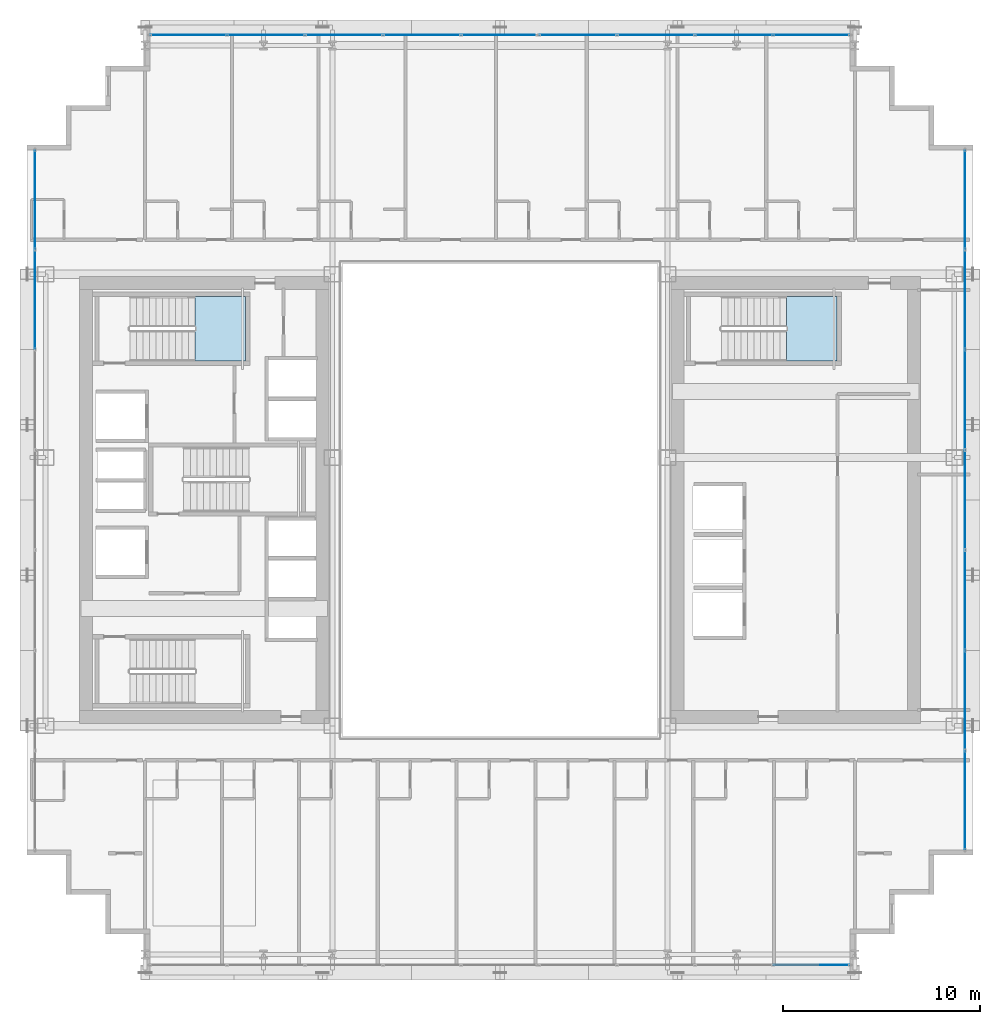
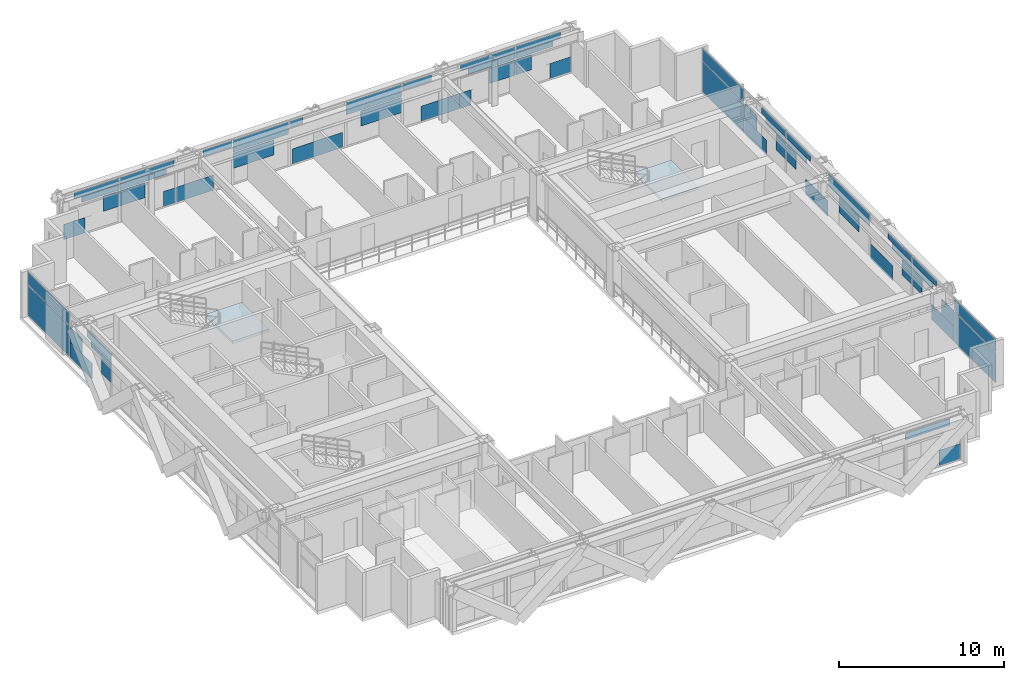
# One storey, part 24 of 36: 59 plates, 2 slabs, 6 elements without a shape of their own.
"""IFC4 building model written with IfcOpenShell, lengths in metres."""

from ifc_helpers import new_model, si_unit, direction, frame, origin, origin_2d, place, context, subcontext, project, spatial, polyline, rectangle, outline, extrude, source, transform, mapped, material, layer, layer_set, type_object, element, aggregate, save


model = new_model("IFC4")

# Units and contexts
model_context = context("Model", 3, precision=1e-05, world=origin(), true_north=direction((0.0, 1.0)))
body_context = subcontext(model_context, "Body", "Model", "MODEL_VIEW")
ifc_project = project(units=[si_unit("LENGTHUNIT", "METRE"), si_unit("AREAUNIT", "SQUARE_METRE"), si_unit("VOLUMEUNIT", "CUBIC_METRE"), si_unit("PLANEANGLEUNIT", "RADIAN"), si_unit("MASSUNIT", "GRAM", prefix="KILO")], contexts=[model_context])

# Site, building, storey
site_placement = place(None, origin())
site = spatial("IfcSite", under=ifc_project, at=site_placement, CompositionType="ELEMENT")
building_placement = place(site_placement, origin())
building = spatial("IfcBuilding", under=site, at=building_placement, Name="Ocotamira Hotel", CompositionType="ELEMENT")
storey_placement = place(building_placement, frame((0.0, 0.0, 129.60009765625)))
storey = spatial("IfcBuildingStorey", under=building, at=storey_placement, Name="L32", CompositionType="ELEMENT", Elevation=129.60009765625)

# Stair, slab
ifc_material_1 = material(Name="Concrete C40/50", Category="concrete")
stair_type = type_object("IfcStairType", Name="ST-CORE-1560", PredefinedType="HALF_TURN_STAIR", material=ifc_material_1)
stair_1_placement = place(storey_placement, origin())
stair_1 = element("IfcStair", 1, at=stair_1_placement, inside=storey, type_object=stair_type, Name="L32 Exit Stair ST-2", PredefinedType="HALF_TURN_STAIR")
ifc_layer_1 = layer(ifc_material_1, 0.199951171875)
ifc_layer_set_1 = layer_set([ifc_layer_1], Name="Concrete C40/50")
slab_type = type_object("IfcSlabType", Name="SLB-LAND-200", PredefinedType="LANDING", material=ifc_layer_set_1)
slab_1_placement = place(storey_placement, frame((0.0, 0.0, 1.599853515625)))
slab_1 = element("IfcSlab", 2, at=slab_1_placement, type_object=slab_type, Name="ST-2 landing 1", PredefinedType="LANDING", context=body_context, shape_type="SweptSolid", body=[
    extrude(outline(polyline([(16.530029296875, 33.050048828125), (19.090087890625, 33.050048828125), (19.090087890625, 36.330078125), (16.530029296875, 36.330078125), (16.530029296875, 33.050048828125)])), origin(), (0.0, 0.0, 1.0), 0.199951171875),
])
aggregate(stair_1, [slab_1])

stair_2_placement = place(storey_placement, origin())
stair_2 = element("IfcStair", 3, at=stair_2_placement, inside=storey, type_object=stair_type, Name="L32 Exit Stair ST-4", PredefinedType="HALF_TURN_STAIR")
slab_2_placement = place(storey_placement, frame((0.0, 0.0, 1.599853515625)))
slab_2 = element("IfcSlab", 4, at=slab_2_placement, type_object=slab_type, Name="ST-4 landing 1", PredefinedType="LANDING", context=body_context, shape_type="SweptSolid", body=[
    extrude(outline(polyline([(46.530029296875, 33.050048828125), (49.090087890625, 33.050048828125), (49.090087890625, 36.330078125), (46.530029296875, 36.330078125), (46.530029296875, 33.050048828125)])), origin(), (0.0, 0.0, 1.0), 0.199951171875),
])
aggregate(stair_2, [slab_2])

# Curtain wall, plate
ifc_material_2 = material(Name="Anodised pale-metal aluminium and solar glass", Category="aluminium")
ifc_layer_2 = layer(ifc_material_2, 0.179931640625)
ifc_layer_set_2 = layer_set([ifc_layer_2], Name="Anodised pale-metal aluminium and solar glass")
curtain_wall_type = type_object("IfcCurtainWallType", Name="CW-SYS3-Z2", PredefinedType="NOTDEFINED", material=ifc_layer_set_2)
curtain_wall_1_placement = place(storey_placement, origin())
curtain_wall_1 = element("IfcCurtainWall", 5, at=curtain_wall_1_placement, inside=storey, type_object=curtain_wall_type, Name="L32 Curtain Wall CW-3 CW-L32-W", PredefinedType="NOTDEFINED")
ifc_material_3 = material(Name="Double-silver low-E insulated solar glass", Category="glass")
ifc_layer_3 = layer(ifc_material_3, 0.031982421875)
ifc_layer_set_3 = layer_set([ifc_layer_3], Name="Double-silver low-E insulated solar glass")
plate_type = type_object("IfcPlateType", Name="CWP-VISION-32", PredefinedType="CURTAIN_PANEL", material=ifc_layer_set_3)
shared_shape_1 = source(origin(), body_context, "Body", "SweptSolid", [
    extrude(rectangle(XDim=4.9658203125, YDim=0.031982421875, at=origin_2d()), origin(), (0.0, 0.0, 1.0), 2.237548828125),
])
plate_1_placement = place(storey_placement, frame((8.419921875, 41.237060546875, 0.07470703125), z_axis=(0.0, 0.0, 1.0), x_axis=(0.0, 1.0, 0.0)))
plate_1 = element("IfcPlate", 6, at=plate_1_placement, type_object=plate_type, Name="CW-3 panel 7.1", PredefinedType="CURTAIN_PANEL", context=body_context, shape_type="MappedRepresentation", body=[
    mapped(shared_shape_1, transform((0.0, 0.0, 0.0), scale=1.0)),
])

# Curtain wall, plates
curtain_wall_2_placement = place(storey_placement, origin())
curtain_wall_2 = element("IfcCurtainWall", 7, at=curtain_wall_2_placement, inside=storey, type_object=curtain_wall_type, Name="L32 Curtain Wall CW-3 CW-L32-E", PredefinedType="NOTDEFINED")
plate_2_placement = place(storey_placement, frame((55.580078125, 10.762939453125, 0.07470703125), z_axis=(0.0, 0.0, 1.0), x_axis=(0.0, 1.0, 0.0)))
plate_2 = element("IfcPlate", 8, at=plate_2_placement, type_object=plate_type, Name="CW-3 panel 1.1", PredefinedType="CURTAIN_PANEL", context=body_context, shape_type="MappedRepresentation", body=[
    mapped(shared_shape_1, transform((0.0, 0.0, 0.0), scale=1.0)),
])
plate_3_placement = place(storey_placement, frame((55.580078125, 41.237060546875, 0.07470703125), z_axis=(0.0, 0.0, 1.0), x_axis=(0.0, 1.0, 0.0)))
plate_3 = element("IfcPlate", 9, at=plate_3_placement, type_object=plate_type, Name="CW-3 panel 7.1", PredefinedType="CURTAIN_PANEL", context=body_context, shape_type="MappedRepresentation", body=[
    mapped(shared_shape_1, transform((0.0, 0.0, 0.0), scale=1.0)),
])

curtain_wall_3_placement = place(storey_placement, origin())
curtain_wall_3 = element("IfcCurtainWall", 10, at=curtain_wall_3_placement, inside=storey, type_object=curtain_wall_type, Name="L32 Curtain Wall CW-3 CW-L32-N", PredefinedType="NOTDEFINED")
shared_shape_2 = source(origin(), body_context, "Body", "SweptSolid", [
    extrude(rectangle(XDim=3.87548828125, YDim=0.031982421875, at=origin_2d()), origin(), (0.0, 0.0, 1.0), 0.8974609375),
])
plate_4_placement = place(storey_placement, frame((28.04443359375, 49.580078125, 2.387451171875), z_axis=(0.0, 0.0, 1.0), x_axis=(1.0, 0.0, 0.0)))
plate_4 = element("IfcPlate", 11, at=plate_4_placement, type_object=plate_type, Name="CW-3 panel 4.2", PredefinedType="CURTAIN_PANEL", context=body_context, shape_type="MappedRepresentation", body=[
    mapped(shared_shape_2, transform((0.0, 0.0, 0.0), scale=1.0)),
])
plate_5_placement = place(storey_placement, frame((35.95556640625, 49.580078125, 2.387451171875), z_axis=(0.0, 0.0, 1.0), x_axis=(1.0, 0.0, 0.0)))
plate_5 = element("IfcPlate", 12, at=plate_5_placement, type_object=plate_type, Name="CW-3 panel 6.2", PredefinedType="CURTAIN_PANEL", context=body_context, shape_type="MappedRepresentation", body=[
    mapped(shared_shape_2, transform((0.0, 0.0, 0.0), scale=1.0)),
])

# Plate
shared_shape_3 = source(origin(), body_context, "Body", "SweptSolid", [
    extrude(rectangle(XDim=4.9658203125, YDim=0.031982421875, at=origin_2d()), origin(), (0.0, 0.0, 1.0), 0.8974609375),
])
plate_6_placement = place(storey_placement, frame((8.419921875, 41.237060546875, 2.387451171875), z_axis=(0.0, 0.0, 1.0), x_axis=(0.0, 1.0, 0.0)))
plate_6 = element("IfcPlate", 13, at=plate_6_placement, type_object=plate_type, Name="CW-3 panel 7.2", PredefinedType="CURTAIN_PANEL", context=body_context, shape_type="MappedRepresentation", body=[
    mapped(shared_shape_3, transform((0.0, 0.0, 0.0), scale=1.0)),
])

plate_7_placement = place(storey_placement, frame((55.580078125, 10.762939453125, 2.387451171875), z_axis=(0.0, 0.0, 1.0), x_axis=(0.0, 1.0, 0.0)))
plate_7 = element("IfcPlate", 14, at=plate_7_placement, type_object=plate_type, Name="CW-3 panel 1.2", PredefinedType="CURTAIN_PANEL", context=body_context, shape_type="MappedRepresentation", body=[
    mapped(shared_shape_3, transform((0.0, 0.0, 0.0), scale=1.0)),
])

plate_8_placement = place(storey_placement, frame((55.580078125, 41.237060546875, 2.387451171875), z_axis=(0.0, 0.0, 1.0), x_axis=(0.0, 1.0, 0.0)))
plate_8 = element("IfcPlate", 15, at=plate_8_placement, type_object=plate_type, Name="CW-3 panel 7.2", PredefinedType="CURTAIN_PANEL", context=body_context, shape_type="MappedRepresentation", body=[
    mapped(shared_shape_3, transform((0.0, 0.0, 0.0), scale=1.0)),
])

shared_shape_4 = source(origin(), body_context, "Body", "SweptSolid", [
    extrude(rectangle(XDim=2.404296875, YDim=0.031982421875, at=origin_2d()), origin(), (0.0, 0.0, 1.0), 1.118896484375),
])
plate_9_placement = place(storey_placement, frame((55.580078125, 26.0, 1.193359375), z_axis=(0.0, 0.0, 1.0), x_axis=(0.0, 1.0, 0.0)))
plate_9 = element("IfcPlate", 16, at=plate_9_placement, type_object=plate_type, Name="CW-3 panel 4.1.1", PredefinedType="CURTAIN_PANEL", context=body_context, shape_type="MappedRepresentation", body=[
    mapped(shared_shape_4, transform((0.0, 0.0, 0.0), scale=1.0)),
])

# Curtain wall, plate
curtain_wall_4_placement = place(storey_placement, origin())
curtain_wall_4 = element("IfcCurtainWall", 17, at=curtain_wall_4_placement, inside=storey, type_object=curtain_wall_type, Name="L32 Curtain Wall CW-3 CW-L32-S1", PredefinedType="NOTDEFINED")
shared_shape_5 = source(origin(), body_context, "Body", "SweptSolid", [
    extrude(rectangle(XDim=3.104248046875, YDim=0.031982421875, at=origin_2d()), origin(), (0.0, 0.0, 1.0), 0.4716796875),
])
plate_10_placement = place(storey_placement, frame((47.4365234375, 2.419921875, 2.813232421875), z_axis=(0.0, 0.0, 1.0), x_axis=(1.0, 0.0, 0.0)))
plate_10 = element("IfcPlate", 18, at=plate_10_placement, type_object=plate_type, Name="CW-3 panel 9.2.2", PredefinedType="CURTAIN_PANEL", context=body_context, shape_type="MappedRepresentation", body=[
    mapped(shared_shape_5, transform((0.0, 0.0, 0.0), scale=1.0)),
])

# Plate
plate_11_placement = place(storey_placement, frame((16.5634765625, 49.580078125, 2.813232421875), z_axis=(0.0, 0.0, 1.0), x_axis=(1.0, 0.0, 0.0)))
plate_11 = element("IfcPlate", 19, at=plate_11_placement, type_object=plate_type, Name="CW-3 panel 1.2.1", PredefinedType="CURTAIN_PANEL", context=body_context, shape_type="MappedRepresentation", body=[
    mapped(shared_shape_5, transform((0.0, 0.0, 0.0), scale=1.0)),
])

plate_12_placement = place(storey_placement, frame((47.4365234375, 49.580078125, 2.813232421875), z_axis=(0.0, 0.0, 1.0), x_axis=(1.0, 0.0, 0.0)))
plate_12 = element("IfcPlate", 20, at=plate_12_placement, type_object=plate_type, Name="CW-3 panel 9.2.2", PredefinedType="CURTAIN_PANEL", context=body_context, shape_type="MappedRepresentation", body=[
    mapped(shared_shape_5, transform((0.0, 0.0, 0.0), scale=1.0)),
])

shared_shape_6 = source(origin(), body_context, "Body", "SweptSolid", [
    extrude(rectangle(XDim=2.572021484375, YDim=0.031982421875, at=origin_2d()), origin(), (0.0, 0.0, 1.0), 0.39453125),
])
plate_13_placement = place(storey_placement, frame((16.82958984375, 49.580078125, 2.387451171875), z_axis=(0.0, 0.0, 1.0), x_axis=(1.0, 0.0, 0.0)))
plate_13 = element("IfcPlate", 21, at=plate_13_placement, type_object=plate_type, Name="CW-3 panel 1.2.2", PredefinedType="CURTAIN_PANEL", context=body_context, shape_type="MappedRepresentation", body=[
    mapped(shared_shape_6, transform((0.0, 0.0, 0.0), scale=1.0)),
])

plate_14_placement = place(storey_placement, frame((47.17041015625, 49.580078125, 2.387451171875), z_axis=(0.0, 0.0, 1.0), x_axis=(1.0, 0.0, 0.0)))
plate_14 = element("IfcPlate", 22, at=plate_14_placement, type_object=plate_type, Name="CW-3 panel 9.2.1", PredefinedType="CURTAIN_PANEL", context=body_context, shape_type="MappedRepresentation", body=[
    mapped(shared_shape_6, transform((0.0, 0.0, 0.0), scale=1.0)),
])

shared_shape_7 = source(origin(), body_context, "Body", "SweptSolid", [
    extrude(rectangle(XDim=3.260986328125, YDim=0.031982421875, at=origin_2d()), origin(), (0.0, 0.0, 1.0), 0.42578125),
])
plate_15_placement = place(storey_placement, frame((19.826171875, 49.580078125, 2.387451171875), z_axis=(0.0, 0.0, 1.0), x_axis=(1.0, 0.0, 0.0)))
plate_15 = element("IfcPlate", 23, at=plate_15_placement, type_object=plate_type, Name="CW-3 panel 2.2.1", PredefinedType="CURTAIN_PANEL", context=body_context, shape_type="MappedRepresentation", body=[
    mapped(shared_shape_7, transform((0.0, 0.0, 0.0), scale=1.0)),
])

plate_16_placement = place(storey_placement, frame((44.173828125, 49.580078125, 2.387451171875), z_axis=(0.0, 0.0, 1.0), x_axis=(1.0, 0.0, 0.0)))
plate_16 = element("IfcPlate", 24, at=plate_16_placement, type_object=plate_type, Name="CW-3 panel 8.2.2", PredefinedType="CURTAIN_PANEL", context=body_context, shape_type="MappedRepresentation", body=[
    mapped(shared_shape_7, transform((0.0, 0.0, 0.0), scale=1.0)),
])

shared_shape_8 = source(origin(), body_context, "Body", "SweptSolid", [
    extrude(rectangle(XDim=3.793212890625, YDim=0.031982421875, at=origin_2d()), origin(), (0.0, 0.0, 1.0), 0.4716796875),
])
plate_17_placement = place(storey_placement, frame((20.09228515625, 49.580078125, 2.813232421875), z_axis=(0.0, 0.0, 1.0), x_axis=(1.0, 0.0, 0.0)))
plate_17 = element("IfcPlate", 25, at=plate_17_placement, type_object=plate_type, Name="CW-3 panel 2.2.2", PredefinedType="CURTAIN_PANEL", context=body_context, shape_type="MappedRepresentation", body=[
    mapped(shared_shape_8, transform((0.0, 0.0, 0.0), scale=1.0)),
])

plate_18_placement = place(storey_placement, frame((43.90771484375, 49.580078125, 2.813232421875), z_axis=(0.0, 0.0, 1.0), x_axis=(1.0, 0.0, 0.0)))
plate_18 = element("IfcPlate", 26, at=plate_18_placement, type_object=plate_type, Name="CW-3 panel 8.2.1", PredefinedType="CURTAIN_PANEL", context=body_context, shape_type="MappedRepresentation", body=[
    mapped(shared_shape_8, transform((0.0, 0.0, 0.0), scale=1.0)),
])

shared_shape_9 = source(origin(), body_context, "Body", "SweptSolid", [
    extrude(rectangle(XDim=2.015380859375, YDim=0.031982421875, at=origin_2d()), origin(), (0.0, 0.0, 1.0), 0.4716796875),
])
plate_19_placement = place(storey_placement, frame((25.018798828125, 49.580078125, 2.813232421875), z_axis=(0.0, 0.0, 1.0), x_axis=(1.0, 0.0, 0.0)))
plate_19 = element("IfcPlate", 27, at=plate_19_placement, type_object=plate_type, Name="CW-3 panel 3.2.1", PredefinedType="CURTAIN_PANEL", context=body_context, shape_type="MappedRepresentation", body=[
    mapped(shared_shape_9, transform((0.0, 0.0, 0.0), scale=1.0)),
])

plate_20_placement = place(storey_placement, frame((38.981201171875, 49.580078125, 2.813232421875), z_axis=(0.0, 0.0, 1.0), x_axis=(1.0, 0.0, 0.0)))
plate_20 = element("IfcPlate", 28, at=plate_20_placement, type_object=plate_type, Name="CW-3 panel 7.2.1", PredefinedType="CURTAIN_PANEL", context=body_context, shape_type="MappedRepresentation", body=[
    mapped(shared_shape_9, transform((0.0, 0.0, 0.0), scale=1.0)),
])

shared_shape_10 = source(origin(), body_context, "Body", "SweptSolid", [
    extrude(rectangle(XDim=0.926513671875, YDim=0.031982421875, at=origin_2d()), origin(), (0.0, 0.0, 1.0), 0.4716796875),
])
plate_21_placement = place(storey_placement, frame((30.525390625, 49.580078125, 2.813232421875), z_axis=(0.0, 0.0, 1.0), x_axis=(1.0, 0.0, 0.0)))
plate_21 = element("IfcPlate", 29, at=plate_21_placement, type_object=plate_type, Name="CW-3 panel 5.2.1", PredefinedType="CURTAIN_PANEL", context=body_context, shape_type="MappedRepresentation", body=[
    mapped(shared_shape_10, transform((0.0, 0.0, 0.0), scale=1.0)),
])

shared_shape_11 = source(origin(), body_context, "Body", "SweptSolid", [
    extrude(rectangle(XDim=2.908203125, YDim=0.031982421875, at=origin_2d()), origin(), (0.0, 0.0, 1.0), 0.44873046875),
])
plate_22_placement = place(storey_placement, frame((8.419921875, 35.122802734375, 2.836181640625), z_axis=(0.0, 0.0, 1.0), x_axis=(0.0, 1.0, 0.0)))
plate_22 = element("IfcPlate", 30, at=plate_22_placement, type_object=plate_type, Name="CW-3 panel 6.2.2", PredefinedType="CURTAIN_PANEL", context=body_context, shape_type="MappedRepresentation", body=[
    mapped(shared_shape_11, transform((0.0, 0.0, 0.0), scale=1.0)),
])

plate_23_placement = place(storey_placement, frame((55.580078125, 16.877197265625, 2.836181640625), z_axis=(0.0, 0.0, 1.0), x_axis=(0.0, 1.0, 0.0)))
plate_23 = element("IfcPlate", 31, at=plate_23_placement, type_object=plate_type, Name="CW-3 panel 2.2.1", PredefinedType="CURTAIN_PANEL", context=body_context, shape_type="MappedRepresentation", body=[
    mapped(shared_shape_11, transform((0.0, 0.0, 0.0), scale=1.0)),
])

plate_24_placement = place(storey_placement, frame((55.580078125, 35.122802734375, 2.836181640625), z_axis=(0.0, 0.0, 1.0), x_axis=(0.0, 1.0, 0.0)))
plate_24 = element("IfcPlate", 32, at=plate_24_placement, type_object=plate_type, Name="CW-3 panel 6.2.2", PredefinedType="CURTAIN_PANEL", context=body_context, shape_type="MappedRepresentation", body=[
    mapped(shared_shape_11, transform((0.0, 0.0, 0.0), scale=1.0)),
])

shared_shape_12 = source(origin(), body_context, "Body", "SweptSolid", [
    extrude(rectangle(XDim=2.4326171875, YDim=0.031982421875, at=origin_2d()), origin(), (0.0, 0.0, 1.0), 0.414306640625),
])
plate_25_placement = place(storey_placement, frame((8.419921875, 34.884765625, 2.38720703125), z_axis=(0.0, 0.0, 1.0), x_axis=(0.0, 1.0, 0.0)))
plate_25 = element("IfcPlate", 33, at=plate_25_placement, type_object=plate_type, Name="CW-3 panel 6.2.1", PredefinedType="CURTAIN_PANEL", context=body_context, shape_type="MappedRepresentation", body=[
    mapped(shared_shape_12, transform((0.0, 0.0, 0.0), scale=1.0)),
])

plate_26_placement = place(storey_placement, frame((55.580078125, 17.115234375, 2.38720703125), z_axis=(0.0, 0.0, 1.0), x_axis=(0.0, 1.0, 0.0)))
plate_26 = element("IfcPlate", 34, at=plate_26_placement, type_object=plate_type, Name="CW-3 panel 2.2.2", PredefinedType="CURTAIN_PANEL", context=body_context, shape_type="MappedRepresentation", body=[
    mapped(shared_shape_12, transform((0.0, 0.0, 0.0), scale=1.0)),
])

plate_27_placement = place(storey_placement, frame((55.580078125, 34.884765625, 2.38720703125), z_axis=(0.0, 0.0, 1.0), x_axis=(0.0, 1.0, 0.0)))
plate_27 = element("IfcPlate", 35, at=plate_27_placement, type_object=plate_type, Name="CW-3 panel 6.2.1", PredefinedType="CURTAIN_PANEL", context=body_context, shape_type="MappedRepresentation", body=[
    mapped(shared_shape_12, transform((0.0, 0.0, 0.0), scale=1.0)),
])

shared_shape_13 = source(origin(), body_context, "Body", "SweptSolid", [
    extrude(rectangle(XDim=2.4228515625, YDim=0.031982421875, at=origin_2d()), origin(), (0.0, 0.0, 1.0), 0.414306640625),
])
plate_28_placement = place(storey_placement, frame((55.580078125, 19.622802734375, 2.38720703125), z_axis=(0.0, 0.0, 1.0), x_axis=(0.0, 1.0, 0.0)))
plate_28 = element("IfcPlate", 36, at=plate_28_placement, type_object=plate_type, Name="CW-3 panel 3.2.1", PredefinedType="CURTAIN_PANEL", context=body_context, shape_type="MappedRepresentation", body=[
    mapped(shared_shape_13, transform((0.0, 0.0, 0.0), scale=1.0)),
])

plate_29_placement = place(storey_placement, frame((55.580078125, 32.377197265625, 2.38720703125), z_axis=(0.0, 0.0, 1.0), x_axis=(0.0, 1.0, 0.0)))
plate_29 = element("IfcPlate", 37, at=plate_29_placement, type_object=plate_type, Name="CW-3 panel 5.2.2", PredefinedType="CURTAIN_PANEL", context=body_context, shape_type="MappedRepresentation", body=[
    mapped(shared_shape_13, transform((0.0, 0.0, 0.0), scale=1.0)),
])

shared_shape_14 = source(origin(), body_context, "Body", "SweptSolid", [
    extrude(rectangle(XDim=2.898681640625, YDim=0.031982421875, at=origin_2d()), origin(), (0.0, 0.0, 1.0), 0.44873046875),
])
plate_30_placement = place(storey_placement, frame((55.580078125, 19.860595703125, 2.836181640625), z_axis=(0.0, 0.0, 1.0), x_axis=(0.0, 1.0, 0.0)))
plate_30 = element("IfcPlate", 38, at=plate_30_placement, type_object=plate_type, Name="CW-3 panel 3.2.2", PredefinedType="CURTAIN_PANEL", context=body_context, shape_type="MappedRepresentation", body=[
    mapped(shared_shape_14, transform((0.0, 0.0, 0.0), scale=1.0)),
])

plate_31_placement = place(storey_placement, frame((55.580078125, 32.139404296875, 2.836181640625), z_axis=(0.0, 0.0, 1.0), x_axis=(0.0, 1.0, 0.0)))
plate_31 = element("IfcPlate", 39, at=plate_31_placement, type_object=plate_type, Name="CW-3 panel 5.2.1", PredefinedType="CURTAIN_PANEL", context=body_context, shape_type="MappedRepresentation", body=[
    mapped(shared_shape_14, transform((0.0, 0.0, 0.0), scale=1.0)),
])

shared_shape_15 = source(origin(), body_context, "Body", "SweptSolid", [
    extrude(rectangle(XDim=5.005615234375, YDim=0.031982421875, at=origin_2d()), origin(), (0.0, 0.0, 1.0), 0.8974609375),
])
plate_32_placement = place(storey_placement, frame((55.580078125, 26.0, 2.387451171875), z_axis=(0.0, 0.0, 1.0), x_axis=(0.0, 1.0, 0.0)))
plate_32 = element("IfcPlate", 40, at=plate_32_placement, type_object=plate_type, Name="CW-3 panel 4.2", PredefinedType="CURTAIN_PANEL", context=body_context, shape_type="MappedRepresentation", body=[
    mapped(shared_shape_15, transform((0.0, 0.0, 0.0), scale=1.0)),
])

shared_shape_16 = source(origin(), body_context, "Body", "SweptSolid", [
    extrude(rectangle(XDim=1.47509765625, YDim=0.031982421875, at=origin_2d()), origin(), (0.0, 0.0, 1.0), 1.11865234375),
])
plate_33_placement = place(storey_placement, frame((48.982421875, 2.419921875, 0.074951171875), z_axis=(0.0, 0.0, 1.0), x_axis=(1.0, 0.0, 0.0)))
plate_33 = element("IfcPlate", 41, at=plate_33_placement, type_object=plate_type, Name="CW-3 panel 9.1.2", PredefinedType="CURTAIN_PANEL", context=body_context, shape_type="MappedRepresentation", body=[
    mapped(shared_shape_16, transform((0.0, 0.0, 0.0), scale=1.0)),
])

aggregate(curtain_wall_4, [plate_33, plate_10])

plate_34_placement = place(storey_placement, frame((15.017578125, 49.580078125, 0.074951171875), z_axis=(0.0, 0.0, 1.0), x_axis=(1.0, 0.0, 0.0)))
plate_34 = element("IfcPlate", 42, at=plate_34_placement, type_object=plate_type, Name="CW-3 panel 1.1.1", PredefinedType="CURTAIN_PANEL", context=body_context, shape_type="MappedRepresentation", body=[
    mapped(shared_shape_16, transform((0.0, 0.0, 0.0), scale=1.0)),
])

plate_35_placement = place(storey_placement, frame((48.982421875, 49.580078125, 0.074951171875), z_axis=(0.0, 0.0, 1.0), x_axis=(1.0, 0.0, 0.0)))
plate_35 = element("IfcPlate", 43, at=plate_35_placement, type_object=plate_type, Name="CW-3 panel 9.1.2", PredefinedType="CURTAIN_PANEL", context=body_context, shape_type="MappedRepresentation", body=[
    mapped(shared_shape_16, transform((0.0, 0.0, 0.0), scale=1.0)),
])

shared_shape_17 = source(origin(), body_context, "Body", "SweptSolid", [
    extrude(rectangle(XDim=1.079833984375, YDim=0.031982421875, at=origin_2d()), origin(), (0.0, 0.0, 1.0), 1.118896484375),
])
plate_36_placement = place(storey_placement, frame((17.57568359375, 49.580078125, 1.193359375), z_axis=(0.0, 0.0, 1.0), x_axis=(1.0, 0.0, 0.0)))
plate_36 = element("IfcPlate", 44, at=plate_36_placement, type_object=plate_type, Name="CW-3 panel 1.1.2", PredefinedType="CURTAIN_PANEL", context=body_context, shape_type="MappedRepresentation", body=[
    mapped(shared_shape_17, transform((0.0, 0.0, 0.0), scale=1.0)),
])

plate_37_placement = place(storey_placement, frame((46.42431640625, 49.580078125, 1.193359375), z_axis=(0.0, 0.0, 1.0), x_axis=(1.0, 0.0, 0.0)))
plate_37 = element("IfcPlate", 45, at=plate_37_placement, type_object=plate_type, Name="CW-3 panel 9.1.1", PredefinedType="CURTAIN_PANEL", context=body_context, shape_type="MappedRepresentation", body=[
    mapped(shared_shape_17, transform((0.0, 0.0, 0.0), scale=1.0)),
])

shared_shape_18 = source(origin(), body_context, "Body", "SweptSolid", [
    extrude(rectangle(XDim=1.768798828125, YDim=0.031982421875, at=origin_2d()), origin(), (0.0, 0.0, 1.0), 1.118896484375),
])
plate_38_placement = place(storey_placement, frame((19.080078125, 49.580078125, 1.193359375), z_axis=(0.0, 0.0, 1.0), x_axis=(1.0, 0.0, 0.0)))
plate_38 = element("IfcPlate", 46, at=plate_38_placement, type_object=plate_type, Name="CW-3 panel 2.1.1", PredefinedType="CURTAIN_PANEL", context=body_context, shape_type="MappedRepresentation", body=[
    mapped(shared_shape_18, transform((0.0, 0.0, 0.0), scale=1.0)),
])

plate_39_placement = place(storey_placement, frame((44.919921875, 49.580078125, 1.193359375), z_axis=(0.0, 0.0, 1.0), x_axis=(1.0, 0.0, 0.0)))
plate_39 = element("IfcPlate", 47, at=plate_39_placement, type_object=plate_type, Name="CW-3 panel 8.1.2", PredefinedType="CURTAIN_PANEL", context=body_context, shape_type="MappedRepresentation", body=[
    mapped(shared_shape_18, transform((0.0, 0.0, 0.0), scale=1.0)),
])

shared_shape_19 = source(origin(), body_context, "Body", "SweptSolid", [
    extrude(rectangle(XDim=0.826171875, YDim=0.031982421875, at=origin_2d()), origin(), (0.0, 0.0, 1.0), 1.11865234375),
])
plate_40_placement = place(storey_placement, frame((21.658203125, 49.580078125, 0.074951171875), z_axis=(0.0, 0.0, 1.0), x_axis=(1.0, 0.0, 0.0)))
plate_40 = element("IfcPlate", 48, at=plate_40_placement, type_object=plate_type, Name="CW-3 panel 2.1.2", PredefinedType="CURTAIN_PANEL", context=body_context, shape_type="MappedRepresentation", body=[
    mapped(shared_shape_19, transform((0.0, 0.0, 0.0), scale=1.0)),
])

plate_41_placement = place(storey_placement, frame((42.341796875, 49.580078125, 0.074951171875), z_axis=(0.0, 0.0, 1.0), x_axis=(1.0, 0.0, 0.0)))
plate_41 = element("IfcPlate", 49, at=plate_41_placement, type_object=plate_type, Name="CW-3 panel 8.1.1", PredefinedType="CURTAIN_PANEL", context=body_context, shape_type="MappedRepresentation", body=[
    mapped(shared_shape_19, transform((0.0, 0.0, 0.0), scale=1.0)),
])

shared_shape_20 = source(origin(), body_context, "Body", "SweptSolid", [
    extrude(rectangle(XDim=2.60400390625, YDim=0.031982421875, at=origin_2d()), origin(), (0.0, 0.0, 1.0), 1.11865234375),
])
plate_42_placement = place(storey_placement, frame((23.453125, 49.580078125, 0.074951171875), z_axis=(0.0, 0.0, 1.0), x_axis=(1.0, 0.0, 0.0)))
plate_42 = element("IfcPlate", 50, at=plate_42_placement, type_object=plate_type, Name="CW-3 panel 3.1.1", PredefinedType="CURTAIN_PANEL", context=body_context, shape_type="MappedRepresentation", body=[
    mapped(shared_shape_20, transform((0.0, 0.0, 0.0), scale=1.0)),
])

plate_43_placement = place(storey_placement, frame((40.546875, 49.580078125, 0.074951171875), z_axis=(0.0, 0.0, 1.0), x_axis=(1.0, 0.0, 0.0)))
plate_43 = element("IfcPlate", 51, at=plate_43_placement, type_object=plate_type, Name="CW-3 panel 7.1.1", PredefinedType="CURTAIN_PANEL", context=body_context, shape_type="MappedRepresentation", body=[
    mapped(shared_shape_20, transform((0.0, 0.0, 0.0), scale=1.0)),
])

shared_shape_21 = source(origin(), body_context, "Body", "SweptSolid", [
    extrude(rectangle(XDim=2.857666015625, YDim=0.031982421875, at=origin_2d()), origin(), (0.0, 0.0, 1.0), 1.118896484375),
])
plate_44_placement = place(storey_placement, frame((27.535400390625, 49.580078125, 1.193359375), z_axis=(0.0, 0.0, 1.0), x_axis=(1.0, 0.0, 0.0)))
plate_44 = element("IfcPlate", 52, at=plate_44_placement, type_object=plate_type, Name="CW-3 panel 4.1.1", PredefinedType="CURTAIN_PANEL", context=body_context, shape_type="MappedRepresentation", body=[
    mapped(shared_shape_21, transform((0.0, 0.0, 0.0), scale=1.0)),
])

plate_45_placement = place(storey_placement, frame((36.464599609375, 49.580078125, 1.193359375), z_axis=(0.0, 0.0, 1.0), x_axis=(1.0, 0.0, 0.0)))
plate_45 = element("IfcPlate", 53, at=plate_45_placement, type_object=plate_type, Name="CW-3 panel 6.1.1", PredefinedType="CURTAIN_PANEL", context=body_context, shape_type="MappedRepresentation", body=[
    mapped(shared_shape_21, transform((0.0, 0.0, 0.0), scale=1.0)),
])

shared_shape_22 = source(origin(), body_context, "Body", "SweptSolid", [
    extrude(rectangle(XDim=3.510009765625, YDim=0.031982421875, at=origin_2d()), origin(), (0.0, 0.0, 1.0), 1.11865234375),
])
plate_46_placement = place(storey_placement, frame((32.0, 49.580078125, 0.074951171875), z_axis=(0.0, 0.0, 1.0), x_axis=(1.0, 0.0, 0.0)))
plate_46 = element("IfcPlate", 54, at=plate_46_placement, type_object=plate_type, Name="CW-3 panel 5.1.1", PredefinedType="CURTAIN_PANEL", context=body_context, shape_type="MappedRepresentation", body=[
    mapped(shared_shape_22, transform((0.0, 0.0, 0.0), scale=1.0)),
])

aggregate(curtain_wall_3, [plate_34, plate_36, plate_11, plate_13, plate_38, plate_40, plate_15, plate_17, plate_42, plate_19, plate_44, plate_4, plate_46, plate_21, plate_45, plate_5, plate_43, plate_20, plate_41, plate_39, plate_18, plate_16, plate_37, plate_35, plate_14, plate_12])

shared_shape_23 = source(origin(), body_context, "Body", "SweptSolid", [
    extrude(rectangle(XDim=2.6728515625, YDim=0.031982421875, at=origin_2d()), origin(), (0.0, 0.0, 1.0), 1.11865234375),
])
plate_47_placement = place(storey_placement, frame((8.419921875, 37.337890625, 0.074951171875), z_axis=(0.0, 0.0, 1.0), x_axis=(0.0, 1.0, 0.0)))
plate_47 = element("IfcPlate", 55, at=plate_47_placement, type_object=plate_type, Name="CW-3 panel 6.1.2", PredefinedType="CURTAIN_PANEL", context=body_context, shape_type="MappedRepresentation", body=[
    mapped(shared_shape_23, transform((0.0, 0.0, 0.0), scale=1.0)),
])

plate_48_placement = place(storey_placement, frame((55.580078125, 14.662109375, 0.074951171875), z_axis=(0.0, 0.0, 1.0), x_axis=(0.0, 1.0, 0.0)))
plate_48 = element("IfcPlate", 56, at=plate_48_placement, type_object=plate_type, Name="CW-3 panel 2.1.1", PredefinedType="CURTAIN_PANEL", context=body_context, shape_type="MappedRepresentation", body=[
    mapped(shared_shape_23, transform((0.0, 0.0, 0.0), scale=1.0)),
])

plate_49_placement = place(storey_placement, frame((55.580078125, 37.337890625, 0.074951171875), z_axis=(0.0, 0.0, 1.0), x_axis=(0.0, 1.0, 0.0)))
plate_49 = element("IfcPlate", 57, at=plate_49_placement, type_object=plate_type, Name="CW-3 panel 6.1.2", PredefinedType="CURTAIN_PANEL", context=body_context, shape_type="MappedRepresentation", body=[
    mapped(shared_shape_23, transform((0.0, 0.0, 0.0), scale=1.0)),
])

shared_shape_24 = source(origin(), body_context, "Body", "SweptSolid", [
    extrude(rectangle(XDim=1.48681640625, YDim=0.031982421875, at=origin_2d()), origin(), (0.0, 0.0, 1.0), 1.118896484375),
])
plate_50_placement = place(storey_placement, frame((8.419921875, 37.930908203125, 1.193359375), z_axis=(0.0, 0.0, 1.0), x_axis=(0.0, 1.0, 0.0)))
plate_50 = element("IfcPlate", 58, at=plate_50_placement, type_object=plate_type, Name="CW-3 panel 6.1.3", PredefinedType="CURTAIN_PANEL", context=body_context, shape_type="MappedRepresentation", body=[
    mapped(shared_shape_24, transform((0.0, 0.0, 0.0), scale=1.0)),
])

plate_51_placement = place(storey_placement, frame((55.580078125, 14.069091796875, 1.193359375), z_axis=(0.0, 0.0, 1.0), x_axis=(0.0, 1.0, 0.0)))
plate_51 = element("IfcPlate", 59, at=plate_51_placement, type_object=plate_type, Name="CW-3 panel 2.1.2", PredefinedType="CURTAIN_PANEL", context=body_context, shape_type="MappedRepresentation", body=[
    mapped(shared_shape_24, transform((0.0, 0.0, 0.0), scale=1.0)),
])

plate_52_placement = place(storey_placement, frame((55.580078125, 37.930908203125, 1.193359375), z_axis=(0.0, 0.0, 1.0), x_axis=(0.0, 1.0, 0.0)))
plate_52 = element("IfcPlate", 60, at=plate_52_placement, type_object=plate_type, Name="CW-3 panel 6.1.3", PredefinedType="CURTAIN_PANEL", context=body_context, shape_type="MappedRepresentation", body=[
    mapped(shared_shape_24, transform((0.0, 0.0, 0.0), scale=1.0)),
])

shared_shape_25 = source(origin(), body_context, "Body", "SweptSolid", [
    extrude(rectangle(XDim=1.1669921875, YDim=0.031982421875, at=origin_2d()), origin(), (0.0, 0.0, 1.0), 1.118896484375),
])
plate_53_placement = place(storey_placement, frame((8.419921875, 34.251953125, 1.193359375), z_axis=(0.0, 0.0, 1.0), x_axis=(0.0, 1.0, 0.0)))
plate_53 = element("IfcPlate", 61, at=plate_53_placement, type_object=plate_type, Name="CW-3 panel 6.1.1", PredefinedType="CURTAIN_PANEL", context=body_context, shape_type="MappedRepresentation", body=[
    mapped(shared_shape_25, transform((0.0, 0.0, 0.0), scale=1.0)),
])

aggregate(curtain_wall_1, [plate_53, plate_47, plate_50, plate_25, plate_22, plate_1, plate_6])

plate_54_placement = place(storey_placement, frame((55.580078125, 17.748046875, 1.193359375), z_axis=(0.0, 0.0, 1.0), x_axis=(0.0, 1.0, 0.0)))
plate_54 = element("IfcPlate", 62, at=plate_54_placement, type_object=plate_type, Name="CW-3 panel 2.1.3", PredefinedType="CURTAIN_PANEL", context=body_context, shape_type="MappedRepresentation", body=[
    mapped(shared_shape_25, transform((0.0, 0.0, 0.0), scale=1.0)),
])

plate_55_placement = place(storey_placement, frame((55.580078125, 34.251953125, 1.193359375), z_axis=(0.0, 0.0, 1.0), x_axis=(0.0, 1.0, 0.0)))
plate_55 = element("IfcPlate", 63, at=plate_55_placement, type_object=plate_type, Name="CW-3 panel 6.1.1", PredefinedType="CURTAIN_PANEL", context=body_context, shape_type="MappedRepresentation", body=[
    mapped(shared_shape_25, transform((0.0, 0.0, 0.0), scale=1.0)),
])

shared_shape_26 = source(origin(), body_context, "Body", "SweptSolid", [
    extrude(rectangle(XDim=1.1572265625, YDim=0.031982421875, at=origin_2d()), origin(), (0.0, 0.0, 1.0), 1.118896484375),
])
plate_56_placement = place(storey_placement, frame((55.580078125, 18.989990234375, 1.193359375), z_axis=(0.0, 0.0, 1.0), x_axis=(0.0, 1.0, 0.0)))
plate_56 = element("IfcPlate", 64, at=plate_56_placement, type_object=plate_type, Name="CW-3 panel 3.1.1", PredefinedType="CURTAIN_PANEL", context=body_context, shape_type="MappedRepresentation", body=[
    mapped(shared_shape_26, transform((0.0, 0.0, 0.0), scale=1.0)),
])

plate_57_placement = place(storey_placement, frame((55.580078125, 33.010009765625, 1.193359375), z_axis=(0.0, 0.0, 1.0), x_axis=(0.0, 1.0, 0.0)))
plate_57 = element("IfcPlate", 65, at=plate_57_placement, type_object=plate_type, Name="CW-3 panel 5.1.2", PredefinedType="CURTAIN_PANEL", context=body_context, shape_type="MappedRepresentation", body=[
    mapped(shared_shape_26, transform((0.0, 0.0, 0.0), scale=1.0)),
])

shared_shape_27 = source(origin(), body_context, "Body", "SweptSolid", [
    extrude(rectangle(XDim=2.6826171875, YDim=0.031982421875, at=origin_2d()), origin(), (0.0, 0.0, 1.0), 1.11865234375),
])
plate_58_placement = place(storey_placement, frame((55.580078125, 22.075927734375, 0.074951171875), z_axis=(0.0, 0.0, 1.0), x_axis=(0.0, 1.0, 0.0)))
plate_58 = element("IfcPlate", 66, at=plate_58_placement, type_object=plate_type, Name="CW-3 panel 3.1.2", PredefinedType="CURTAIN_PANEL", context=body_context, shape_type="MappedRepresentation", body=[
    mapped(shared_shape_27, transform((0.0, 0.0, 0.0), scale=1.0)),
])

plate_59_placement = place(storey_placement, frame((55.580078125, 29.924072265625, 0.074951171875), z_axis=(0.0, 0.0, 1.0), x_axis=(0.0, 1.0, 0.0)))
plate_59 = element("IfcPlate", 67, at=plate_59_placement, type_object=plate_type, Name="CW-3 panel 5.1.1", PredefinedType="CURTAIN_PANEL", context=body_context, shape_type="MappedRepresentation", body=[
    mapped(shared_shape_27, transform((0.0, 0.0, 0.0), scale=1.0)),
])

aggregate(curtain_wall_2, [plate_2, plate_7, plate_48, plate_51, plate_54, plate_23, plate_26, plate_56, plate_58, plate_28, plate_30, plate_9, plate_32, plate_59, plate_57, plate_31, plate_29, plate_55, plate_49, plate_52, plate_27, plate_24, plate_3, plate_8])

save(model, "model.ifc")
